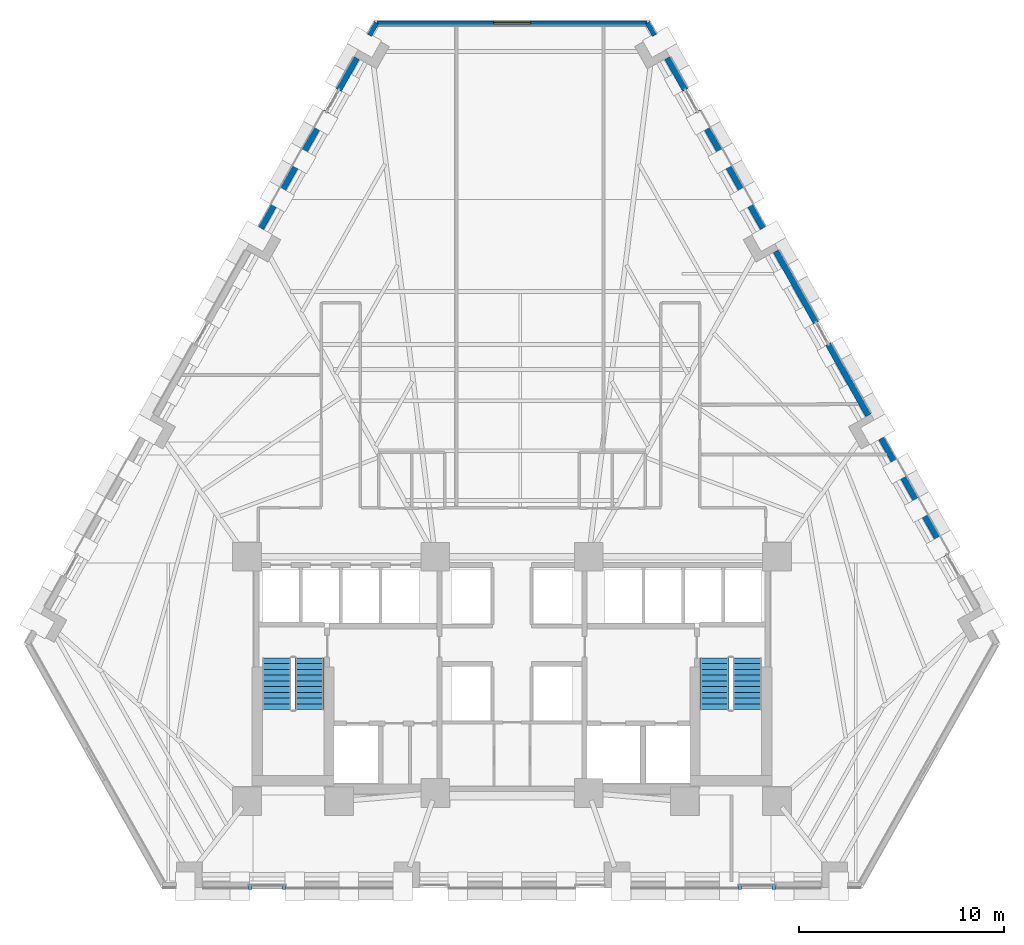
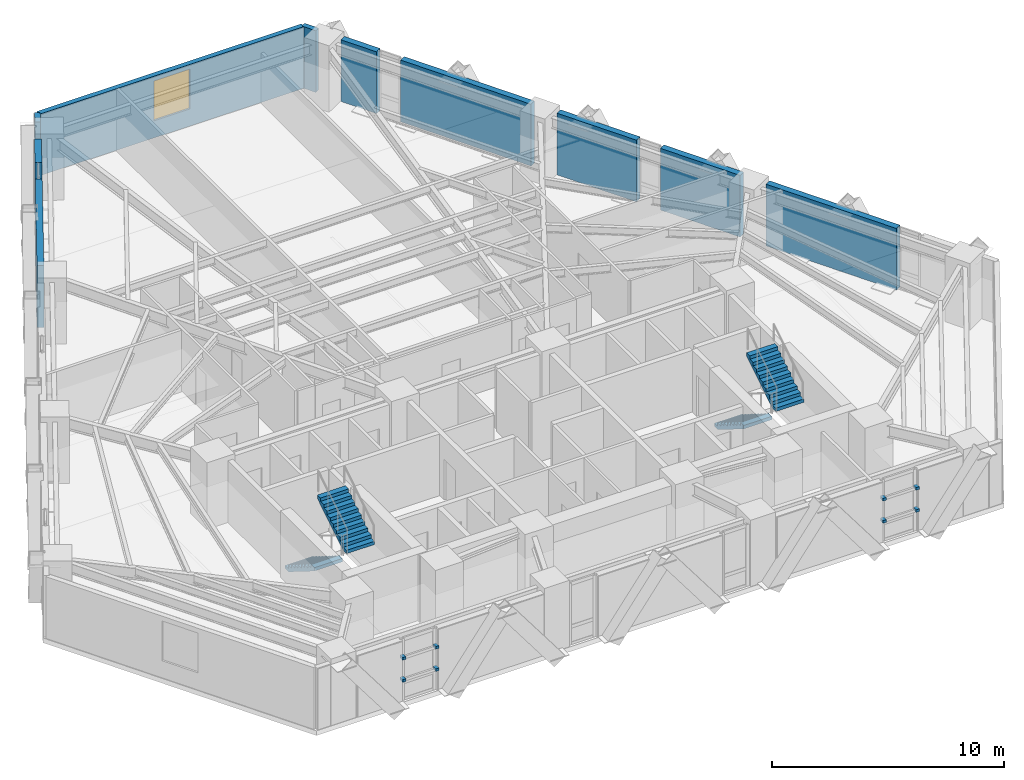
# One storey, part 9 of 13: 10 walls, 8 discrete accessories, 4 stair flights, 1 window, 1 opening, 2 elements without a shape of their own.
"""IFC4 building model written with IfcOpenShell, lengths in metres."""

from ifc_helpers import new_model, si_unit, direction, frame, frame_2d, origin, origin_2d, place, context, subcontext, project, spatial, polyline, rectangle, outline, extrude, material, layer, layer_set, type_object, element, fill, aggregate, save


model = new_model("IFC4")

# Units and contexts
model_context = context("Model", 3, precision=1e-05, world=origin(), true_north=direction((0.0, 1.0)))
body_context = subcontext(model_context, "Body", "Model", "MODEL_VIEW")
ifc_project = project(units=[si_unit("LENGTHUNIT", "METRE"), si_unit("AREAUNIT", "SQUARE_METRE"), si_unit("VOLUMEUNIT", "CUBIC_METRE"), si_unit("PLANEANGLEUNIT", "RADIAN"), si_unit("MASSUNIT", "GRAM", prefix="KILO")], contexts=[model_context])

# Site, building, storey
site_placement = place(None, origin())
site = spatial("IfcSite", under=ifc_project, at=site_placement, CompositionType="ELEMENT")
building_placement = place(site_placement, origin())
building = spatial("IfcBuilding", under=site, at=building_placement, Name="Quenlor Broadcast Tower", CompositionType="ELEMENT")
storey_placement = place(building_placement, frame((0.0, 0.0, 66.10009765625)))
storey = spatial("IfcBuildingStorey", under=building, at=storey_placement, Name="L17", CompositionType="ELEMENT", Elevation=66.10009765625)

# Walls
ifc_material_1 = material(Name="Precast concrete C40/50", Category="concrete")
ifc_layer_1 = layer(ifc_material_1, 0.239990234375)
ifc_layer_set_1 = layer_set([ifc_layer_1], Name="Terrace Threshold Precast Concrete C40/50 Wall 240")
wall_type_1 = type_object("IfcWallType", Name="Terrace Threshold Precast Concrete C40/50 Wall 240", PredefinedType="STANDARD", material=ifc_layer_set_1)
for number, where, z_axis, x_axis, name in (
    (1, (6.621826171875, 21.30126953125, 0.0), (0.0, 0.0, 1.0), (0.490261239633, -0.871575537125, 0.0), "L17 Exterior Wall L17-SHD-NES0"),
    (2, (-6.968994140625, 20.68408203125, 0.0), (0.0, 0.0, 1.0), (0.490261239633, 0.871575537125, 0.0), "L17 Exterior Wall L17-SHD-NWS1"),
):
    element("IfcWall", number, at=place(storey_placement, frame(where, z_axis=z_axis, x_axis=x_axis)), inside=storey, type_object=wall_type_1, Name=name, PredefinedType="STANDARD", context=body_context, shape_type="SweptSolid", body=[
        extrude(rectangle(XDim=0.7080078125, YDim=0.239990234375, at=frame_2d((0.35400390625, 0.0))), origin(), (0.0, 0.0, 1.0), 3.25),
    ])

# Wall, opening, window
wall_1_placement = place(storey_placement, frame((6.598388671875, 21.27197265625, 0.0), z_axis=(0.0, 0.0, 1.0), x_axis=(-1.0, 0.0, 0.0)))
wall_1 = element("IfcWall", 3, at=wall_1_placement, inside=storey, type_object=wall_type_1, Name="L17 Exterior Wall L17-CNR-02", PredefinedType="STANDARD", context=body_context, shape_type="SweptSolid", body=[
    extrude(rectangle(XDim=13.186767578125, YDim=0.239990234375, at=frame_2d((6.59326171875, 0.0))), origin(), (0.0, 0.0, 1.0), 3.25),
])
opening_placement = place(wall_1_placement, frame((5.693115234375, 0.0, 0.89990234375)))
opening = element("IfcOpeningElement", 4, at=opening_placement, cuts=wall_1, Name="Opening WN-1", PredefinedType="OPENING", context=body_context, shape_type="SweptSolid", body=[
    extrude(rectangle(XDim=1.800048828125, YDim=2.10009765625, at=frame_2d((0.89990234375, 1.050048828125))), frame((0.0, 0.1298828125, 0.0), z_axis=(0.0, -1.0, 0.0), x_axis=(1.0, 0.0, 0.0)), (0.0, 0.0, 1.0), 0.260009765625),
])
ifc_material_2 = material(Name="Thermally Broken Aluminium and Low-E Glass", Category="aluminium")
window_type = type_object("IfcWindowType", Name="Tower Acoustic Vision Window 1800x2100", PartitioningType="SINGLE_PANEL", PredefinedType="WINDOW", material=ifc_material_2)
window_placement = place(opening_placement, origin())
window = element("IfcWindow", 5, at=window_placement, inside=storey, type_object=window_type, Name="L17 Corner Chamfer Window 2", OverallHeight=2.10009765625, OverallWidth=1.800048828125, PartitioningType="SINGLE_PANEL", PredefinedType="WINDOW", context=body_context, shape_type="SweptSolid", body=[
    extrude(rectangle(XDim=1.800048828125, YDim=2.10009765625, at=frame_2d((0.89990234375, 1.050048828125))), frame((0.0, 0.030029296875, 0.0), z_axis=(0.0, -1.0, 0.0), x_axis=(1.0, 0.0, 0.0)), (0.0, 0.0, 1.0), 0.06005859375),
])
fill(opening, window)

# Walls
ifc_material_3 = material(Name="Precast concrete C40/50", Category="concrete")
ifc_layer_2 = layer(ifc_material_3, 0.300048828125)
ifc_layer_set_2 = layer_set([ifc_layer_2], Name="Terracotta Precast Concrete C40/50 Spandrel Wall 300")
wall_type_2 = type_object("IfcWallType", Name="Terracotta Precast Concrete C40/50 Spandrel Wall 300", PredefinedType="STANDARD", material=ifc_layer_set_2)
wall_2_placement = place(storey_placement, frame((7.5966796875, 19.568603515625, 0.0), z_axis=(0.0, 0.0, 1.0), x_axis=(0.490215743191, -0.87160112731, 0.0)))
element("IfcWall", 6, at=wall_2_placement, inside=storey, type_object=wall_type_2, Name="L17 Exterior Wall L17-NEA-SP1", PredefinedType="STANDARD", context=body_context, shape_type="SweptSolid", body=[
    extrude(rectangle(XDim=1.783447265625, YDim=0.300048828125, at=frame_2d((0.8916015625, 0.0))), origin(), (0.0, 0.0, 1.0), 3.25),
])
wall_3_placement = place(storey_placement, frame((9.06298828125, 16.961669921875, 0.0), z_axis=(0.0, 0.0, 1.0), x_axis=(0.490270095534, -0.871570555621, 0.0)))
element("IfcWall", 7, at=wall_3_placement, inside=storey, type_object=wall_type_2, Name="L17 Exterior Wall L17-NEA-SP2", PredefinedType="STANDARD", context=body_context, shape_type="SweptSolid", body=[
    extrude(rectangle(XDim=6.54443359375, YDim=0.300048828125, at=frame_2d((3.272216796875, 0.0))), origin(), (0.0, 0.0, 1.0), 3.25),
])
wall_4_placement = place(storey_placement, frame((18.049560546875, 0.985595703125, 0.0), z_axis=(0.0, 0.0, 1.0), x_axis=(0.490254155105, -0.871579522133, 0.0)))
element("IfcWall", 8, at=wall_4_placement, inside=storey, type_object=wall_type_2, Name="L17 Exterior Wall L17-NEC-SP1", PredefinedType="STANDARD", context=body_context, shape_type="SweptSolid", body=[
    extrude(rectangle(XDim=6.544677734375, YDim=0.300048828125, at=frame_2d((3.2724609375, 0.0))), origin(), (0.0, 0.0, 1.0), 3.25),
])
for number, where, z_axis, x_axis, name in (
    (9, (12.90625, 10.12890625, 0.0), (0.0, 0.0, 1.0), (0.490275749717, -0.871567375043, 0.0), "L17 Exterior Wall L17-NE-SP1"),
    (10, (15.45654296875, 5.595458984375, 0.0), (0.0, 0.0, 1.0), (0.490275749717, -0.871567375043, 0.0), "L17 Exterior Wall L17-NE-SP2"),
):
    element("IfcWall", number, at=place(storey_placement, frame(where, z_axis=z_axis, x_axis=x_axis)), inside=storey, type_object=wall_type_2, Name=name, PredefinedType="STANDARD", context=body_context, shape_type="SweptSolid", body=[
        extrude(rectangle(XDim=3.994140625, YDim=0.300048828125, at=frame_2d((1.9970703125, 0.0))), origin(), (0.0, 0.0, 1.0), 3.25),
    ])
wall_5_placement = place(storey_placement, frame((-12.271484375, 11.2578125, 0.0), z_axis=(0.0, 0.0, 1.0), x_axis=(0.490270095534, 0.871570555621, 0.0)))
element("IfcWall", 11, at=wall_5_placement, inside=storey, type_object=wall_type_2, Name="L17 Exterior Wall L17-NWC-SP1", PredefinedType="STANDARD", context=body_context, shape_type="SweptSolid", body=[
    extrude(rectangle(XDim=6.54443359375, YDim=0.300048828125, at=frame_2d((3.272216796875, 0.0))), origin(), (0.0, 0.0, 1.0), 3.25),
])
wall_6_placement = place(storey_placement, frame((-8.470947265625, 18.01416015625, 0.0), z_axis=(0.0, 0.0, 1.0), x_axis=(0.490215743191, 0.87160112731, 0.0)))
element("IfcWall", 12, at=wall_6_placement, inside=storey, type_object=wall_type_2, Name="L17 Exterior Wall L17-NWC-SP2", PredefinedType="STANDARD", context=body_context, shape_type="SweptSolid", body=[
    extrude(rectangle(XDim=1.783447265625, YDim=0.300048828125, at=frame_2d((0.8916015625, 0.0))), origin(), (0.0, 0.0, 1.0), 3.25),
])

# Stair, stair flights
ifc_material_4 = material(Name="Precast concrete C40/50", Category="concrete")
stair_type = type_object("IfcStairType", Name="Precast Concrete C40/50 Dogleg Stair H350", PredefinedType="HALF_TURN_STAIR", material=ifc_material_4)
stair_1_placement = place(storey_placement, origin())
stair_1 = element("IfcStair", 13, at=stair_1_placement, inside=storey, type_object=stair_type, Name="L17 West Core Fire-Isolated Exit Stair ST-1", PredefinedType="HALF_TURN_STAIR")
ifc_material_5 = material(Name="Precast concrete C40/50", Category="concrete")
ifc_layer_3 = layer(ifc_material_5, 0.159912109375)
ifc_layer_set_3 = layer_set([ifc_layer_3], Name="Precast Concrete C40/50 Stair Flight H350")
stair_flight_type = type_object("IfcStairFlightType", Name="Precast Concrete C40/50 Stair Flight H350", PredefinedType="STRAIGHT", material=ifc_layer_set_3)
stair_flight_1_placement = place(storey_placement, frame((-11.5, -9.75, 0.0), z_axis=(0.0, 0.0, 1.0), x_axis=(0.0, -1.0, 0.0)))
stair_flight_1 = element("IfcStairFlight", 14, at=stair_flight_1_placement, type_object=stair_flight_type, Name="ST-1 flight 1", NumberOfRisers=10, NumberOfTreads=9, PredefinedType="STRAIGHT", RiserHeight=0.175, TreadLength=0.28, context=body_context, shape_type="SweptSolid", body=[
    extrude(outline(polyline([(0.0, 0.0), (0.0, 0.175048828125), (0.280029296875, 0.175048828125), (0.280029296875, 0.35009765625), (0.56005859375, 0.35009765625), (0.56005859375, 0.52490234375), (0.840087890625, 0.52490234375), (0.840087890625, 0.699951171875), (1.1201171875, 0.699951171875), (1.1201171875, 0.875), (1.39990234375, 0.875), (1.39990234375, 1.050048828125), (1.679931640625, 1.050048828125), (1.679931640625, 1.22509765625), (1.9599609375, 1.22509765625), (1.9599609375, 1.39990234375), (2.239990234375, 1.39990234375), (2.239990234375, 1.574951171875), (2.52001953125, 1.574951171875), (2.52001953125, 1.75), (2.52001953125, 1.398193359375), (0.28271484375, 0.0), (0.0, 0.0)])), frame((0.0, 0.699951171875, 0.0), z_axis=(0.0, -1.0, 0.0), x_axis=(1.0, 0.0, 0.0)), (0.0, 0.0, 1.0), 1.39990234375),
])
stair_flight_2_placement = place(storey_placement, frame((-9.89990234375, -12.27001953125, 1.75), z_axis=(0.0, 0.0, 1.0), x_axis=(0.0, 1.0, 0.0)))
stair_flight_2 = element("IfcStairFlight", 15, at=stair_flight_2_placement, type_object=stair_flight_type, Name="ST-1 flight 2", NumberOfRisers=10, NumberOfTreads=9, PredefinedType="STRAIGHT", RiserHeight=0.175, TreadLength=0.28, context=body_context, shape_type="SweptSolid", body=[
    extrude(outline(polyline([(0.0, 0.0), (0.0, 0.175048828125), (0.280029296875, 0.175048828125), (0.280029296875, 0.35009765625), (0.56005859375, 0.35009765625), (0.56005859375, 0.52490234375), (0.840087890625, 0.52490234375), (0.840087890625, 0.699951171875), (1.1201171875, 0.699951171875), (1.1201171875, 0.875), (1.39990234375, 0.875), (1.39990234375, 1.050048828125), (1.679931640625, 1.050048828125), (1.679931640625, 1.22509765625), (1.9599609375, 1.22509765625), (1.9599609375, 1.39990234375), (2.239990234375, 1.39990234375), (2.239990234375, 1.574951171875), (2.52001953125, 1.574951171875), (2.52001953125, 1.75), (2.52001953125, 1.398193359375), (0.28271484375, 0.0), (0.0, 0.0)])), frame((0.0, 0.699951171875, 0.0), z_axis=(0.0, -1.0, 0.0), x_axis=(1.0, 0.0, 0.0)), (0.0, 0.0, 1.0), 1.39990234375),
])
aggregate(stair_1, [stair_flight_1, stair_flight_2])

stair_2_placement = place(storey_placement, origin())
stair_2 = element("IfcStair", 16, at=stair_2_placement, inside=storey, type_object=stair_type, Name="L17 East Core Fire-Isolated Exit Stair ST-2", PredefinedType="HALF_TURN_STAIR")
stair_flight_3_placement = place(storey_placement, frame((9.89990234375, -9.75, 0.0), z_axis=(0.0, 0.0, 1.0), x_axis=(0.0, -1.0, 0.0)))
stair_flight_3 = element("IfcStairFlight", 17, at=stair_flight_3_placement, type_object=stair_flight_type, Name="ST-2 flight 1", NumberOfRisers=10, NumberOfTreads=9, PredefinedType="STRAIGHT", RiserHeight=0.175, TreadLength=0.28, context=body_context, shape_type="SweptSolid", body=[
    extrude(outline(polyline([(0.0, 0.0), (0.0, 0.175048828125), (0.280029296875, 0.175048828125), (0.280029296875, 0.35009765625), (0.56005859375, 0.35009765625), (0.56005859375, 0.52490234375), (0.840087890625, 0.52490234375), (0.840087890625, 0.699951171875), (1.1201171875, 0.699951171875), (1.1201171875, 0.875), (1.39990234375, 0.875), (1.39990234375, 1.050048828125), (1.679931640625, 1.050048828125), (1.679931640625, 1.22509765625), (1.9599609375, 1.22509765625), (1.9599609375, 1.39990234375), (2.239990234375, 1.39990234375), (2.239990234375, 1.574951171875), (2.52001953125, 1.574951171875), (2.52001953125, 1.75), (2.52001953125, 1.398193359375), (0.28271484375, 0.0), (0.0, 0.0)])), frame((0.0, 0.699951171875, 0.0), z_axis=(0.0, -1.0, 0.0), x_axis=(1.0, 0.0, 0.0)), (0.0, 0.0, 1.0), 1.39990234375),
])
stair_flight_4_placement = place(storey_placement, frame((11.5, -12.27001953125, 1.75), z_axis=(0.0, 0.0, 1.0), x_axis=(0.0, 1.0, 0.0)))
stair_flight_4 = element("IfcStairFlight", 18, at=stair_flight_4_placement, type_object=stair_flight_type, Name="ST-2 flight 2", NumberOfRisers=10, NumberOfTreads=9, PredefinedType="STRAIGHT", RiserHeight=0.175, TreadLength=0.28, context=body_context, shape_type="SweptSolid", body=[
    extrude(outline(polyline([(0.0, 0.0), (0.0, 0.175048828125), (0.280029296875, 0.175048828125), (0.280029296875, 0.35009765625), (0.56005859375, 0.35009765625), (0.56005859375, 0.52490234375), (0.840087890625, 0.52490234375), (0.840087890625, 0.699951171875), (1.1201171875, 0.699951171875), (1.1201171875, 0.875), (1.39990234375, 0.875), (1.39990234375, 1.050048828125), (1.679931640625, 1.050048828125), (1.679931640625, 1.22509765625), (1.9599609375, 1.22509765625), (1.9599609375, 1.39990234375), (2.239990234375, 1.39990234375), (2.239990234375, 1.574951171875), (2.52001953125, 1.574951171875), (2.52001953125, 1.75), (2.52001953125, 1.398193359375), (0.28271484375, 0.0), (0.0, 0.0)])), frame((0.0, 0.699951171875, 0.0), z_axis=(0.0, -1.0, 0.0), x_axis=(1.0, 0.0, 0.0)), (0.0, 0.0, 1.0), 1.39990234375),
])
aggregate(stair_2, [stair_flight_3, stair_flight_4])

# Discrete accessories
ifc_material_6 = material(Name="Aluminium 6063-T6", Category="aluminium")
discrete_accessory_type = type_object("IfcDiscreteAccessoryType", Name="Stainless Mullion Baguette Support Bracket", PredefinedType="BRACKET", material=ifc_material_6)
for number, where, z_axis, x_axis, name in (
    (19, (12.794921875, -20.949951171875, 1.10009765625), (0.0, 0.0, 1.0), (-1.0, 0.0, 0.0), "L17 Baguette Mullion Bracket 1.1"),
    (20, (11.146484375, -20.949951171875, 1.10009765625), (0.0, 0.0, 1.0), (-1.0, 0.0, 0.0), "L17 Baguette Mullion Bracket 1.2"),
    (21, (12.794921875, -20.949951171875, 2.27001953125), (0.0, 0.0, 1.0), (-1.0, 0.0, 0.0), "L17 Baguette Mullion Bracket 2.1"),
    (22, (11.146484375, -20.949951171875, 2.27001953125), (0.0, 0.0, 1.0), (-1.0, 0.0, 0.0), "L17 Baguette Mullion Bracket 2.2"),
    (23, (-11.146484375, -20.949951171875, 1.10009765625), (0.0, 0.0, 1.0), (-1.0, 0.0, 0.0), "L17 Baguette Mullion Bracket 1.1"),
    (24, (-12.794921875, -20.949951171875, 1.10009765625), (0.0, 0.0, 1.0), (-1.0, 0.0, 0.0), "L17 Baguette Mullion Bracket 1.2"),
    (25, (-11.146484375, -20.949951171875, 2.27001953125), (0.0, 0.0, 1.0), (-1.0, 0.0, 0.0), "L17 Baguette Mullion Bracket 2.1"),
    (26, (-12.794921875, -20.949951171875, 2.27001953125), (0.0, 0.0, 1.0), (-1.0, 0.0, 0.0), "L17 Baguette Mullion Bracket 2.2"),
):
    element("IfcDiscreteAccessory", number, at=place(storey_placement, frame(where, z_axis=z_axis, x_axis=x_axis)), inside=storey, type_object=discrete_accessory_type, Name=name, PredefinedType="BRACKET", context=body_context, shape_type="SweptSolid", body=[
        extrude(rectangle(XDim=0.159912109375, YDim=0.239990234375, at=origin_2d()), origin(), (0.0, 0.0, 1.0), 0.139892578125),
    ])

save(model, "model.ifc")
